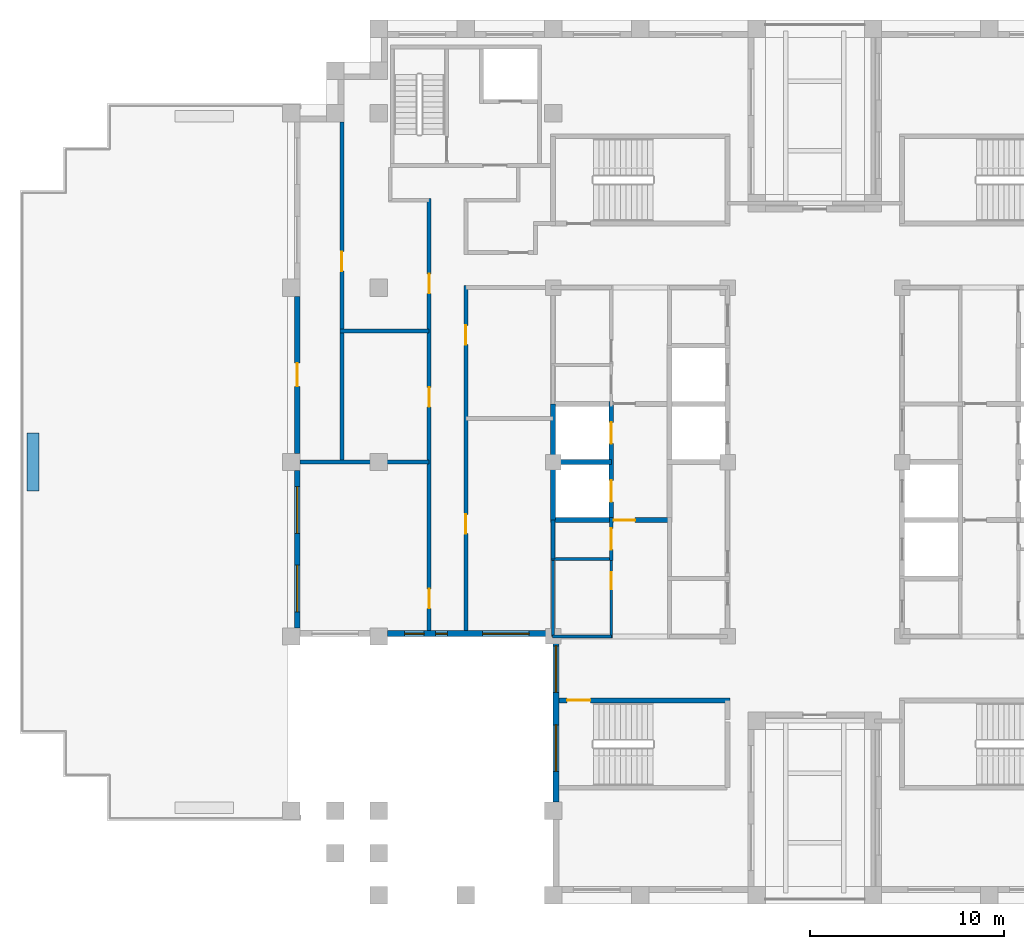
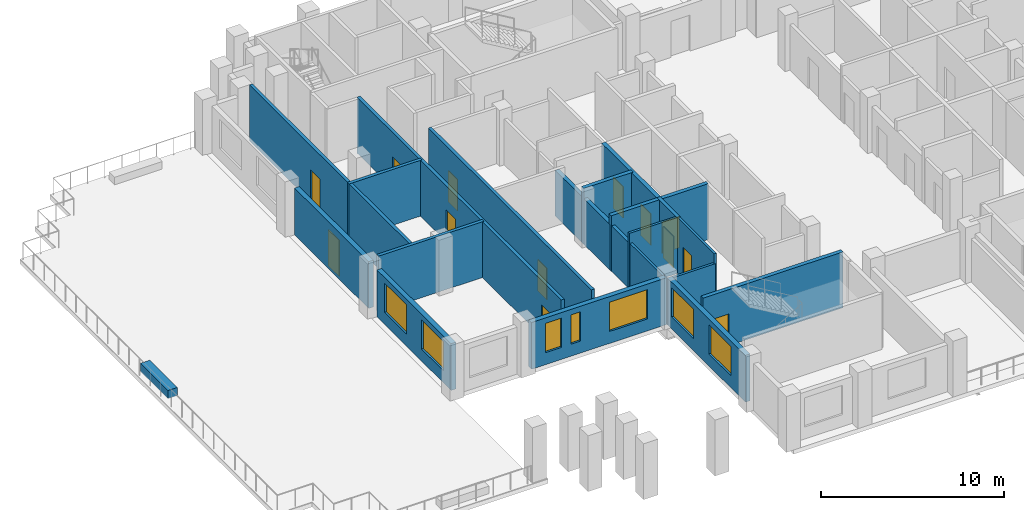
# One storey, part 2 of 10: 21 walls, 13 doors, 7 windows, 20 openings.
"""IFC4 building model written with IfcOpenShell, lengths in metres."""

from ifc_helpers import new_model, si_unit, direction, frame, frame_2d, origin, place, context, subcontext, project, spatial, rectangle, extrude, material, layer, layer_set, type_object, element, fill, save


model = new_model("IFC4")

# Units and contexts
model_context = context("Model", 3, precision=1e-05, world=origin(), true_north=direction((0.0, 1.0)))
body_context = subcontext(model_context, "Body", "Model", "MODEL_VIEW")
ifc_project = project(units=[si_unit("LENGTHUNIT", "METRE"), si_unit("AREAUNIT", "SQUARE_METRE"), si_unit("VOLUMEUNIT", "CUBIC_METRE"), si_unit("PLANEANGLEUNIT", "RADIAN"), si_unit("MASSUNIT", "GRAM", prefix="KILO")], contexts=[model_context])

# Site, building, storey
site_placement = place(None, origin())
site = spatial("IfcSite", under=ifc_project, at=site_placement, CompositionType="ELEMENT")
building_placement = place(site_placement, origin())
building = spatial("IfcBuilding", under=site, at=building_placement, Name="Corbelhall Arena Tower", CompositionType="ELEMENT")
storey_placement = place(building_placement, frame((0.0, 0.0, 242.0)))
storey = spatial("IfcBuildingStorey", under=building, at=storey_placement, Name="L51", CompositionType="ELEMENT", Elevation=242.0)

# Wall, opening, door
ifc_material_1 = material(Name="Precast concrete C40/50 with granite facing", Category="masonry")
ifc_layer_1 = layer(ifc_material_1, 0.300048828125)
ifc_layer_set_1 = layer_set([ifc_layer_1], Name="EV-IW1 Infill panel 300")
wall_type_1 = type_object("IfcWallType", Name="EV-IW1 Infill panel 300", PredefinedType="SOLIDWALL", material=ifc_layer_set_1)
wall_1_placement = place(storey_placement, frame((-26.699951171875, 0.449951171875, 0.0), z_axis=(0.0, 0.0, 1.0), x_axis=(0.0, 1.0, 0.0)))
wall_1 = element("IfcWall", 1, at=wall_1_placement, inside=storey, type_object=wall_type_1, Name="Infill panel IW1", PredefinedType="SOLIDWALL", context=body_context, shape_type="SweptSolid", body=[
    extrude(rectangle(XDim=8.10009765625, YDim=0.300048828125, at=frame_2d((4.050048828125, 0.0))), origin(), (0.0, 0.0, 1.0), 3.1201171875),
])
opening_1_placement = place(wall_1_placement, frame((3.449951171875, 0.0, 0.0)))
opening_1 = element("IfcOpeningElement", 2, at=opening_1_placement, cuts=wall_1, Name="Opening ED2", PredefinedType="OPENING", context=body_context, shape_type="SweptSolid", body=[
    extrude(rectangle(XDim=1.199951171875, YDim=2.39990234375, at=frame_2d((0.60009765625, 1.199951171875))), frame((0.0, 0.14990234375, 0.0), z_axis=(0.0, -1.0, 0.0), x_axis=(1.0, 0.0, 0.0)), (0.0, 0.0, 1.0), 0.300048828125),
])
ifc_material_2 = material(Name="Aluminium black anodised", Category="aluminium")
door_type_1 = type_object("IfcDoorType", Name="EV-ED2 Roof terrace door", OperationType="SINGLE_SWING_LEFT", PredefinedType="DOOR", material=ifc_material_2)
door_1_placement = place(opening_1_placement, origin())
door_1 = element("IfcDoor", 3, at=door_1_placement, inside=storey, type_object=door_type_1, Name="Terrace door", OperationType="SINGLE_SWING_LEFT", OverallHeight=2.39990234375, OverallWidth=1.199951171875, PredefinedType="DOOR", context=body_context, shape_type="SweptSolid", body=[
    extrude(rectangle(XDim=1.199951171875, YDim=2.39990234375, at=frame_2d((0.60009765625, 1.199951171875))), frame((0.0, 0.02490234375, 0.0), z_axis=(0.0, -1.0, 0.0), x_axis=(1.0, 0.0, 0.0)), (0.0, 0.0, 1.0), 0.050048828125),
])
fill(opening_1, door_1)

# Wall, openings, windows
wall_2_placement = place(storey_placement, frame((-26.699951171875, -0.449951171875, 0.0), z_axis=(0.0, 0.0, 1.0), x_axis=(0.0, -1.0, 0.0)))
wall_2 = element("IfcWall", 4, at=wall_2_placement, inside=storey, type_object=wall_type_1, Name="Infill panel IW1", PredefinedType="SOLIDWALL", context=body_context, shape_type="SweptSolid", body=[
    extrude(rectangle(XDim=8.10009765625, YDim=0.300048828125, at=frame_2d((4.050048828125, 0.0))), origin(), (0.0, 0.0, 1.0), 3.1201171875),
])
opening_2_placement = place(wall_2_placement, frame((0.824951171875, 0.0, 0.800048828125)))
opening_2 = element("IfcOpeningElement", 5, at=opening_2_placement, cuts=wall_2, Name="Opening WN1", PredefinedType="OPENING", context=body_context, shape_type="SweptSolid", body=[
    extrude(rectangle(XDim=2.39990234375, YDim=1.949951171875, at=frame_2d((1.199951171875, 0.97509765625))), frame((0.0, 0.14990234375, 0.0), z_axis=(0.0, -1.0, 0.0), x_axis=(1.0, 0.0, 0.0)), (0.0, 0.0, 1.0), 0.300048828125),
])
opening_3_placement = place(wall_2_placement, frame((4.875, 0.0, 0.800048828125)))
opening_3 = element("IfcOpeningElement", 6, at=opening_3_placement, cuts=wall_2, Name="Opening WN1", PredefinedType="OPENING", context=body_context, shape_type="SweptSolid", body=[
    extrude(rectangle(XDim=2.39990234375, YDim=1.949951171875, at=frame_2d((1.199951171875, 0.97509765625))), frame((0.0, 0.14990234375, 0.0), z_axis=(0.0, -1.0, 0.0), x_axis=(1.0, 0.0, 0.0)), (0.0, 0.0, 1.0), 0.300048828125),
])
window_type_1 = type_object("IfcWindowType", Name="EV-WN1 Office window", PartitioningType="SINGLE_PANEL", PredefinedType="WINDOW", material=ifc_material_2)
window_1_placement = place(opening_2_placement, origin())
window_1 = element("IfcWindow", 7, at=window_1_placement, inside=storey, type_object=window_type_1, Name="Window WN1", OverallHeight=1.949951171875, OverallWidth=2.39990234375, PartitioningType="SINGLE_PANEL", PredefinedType="WINDOW", context=body_context, shape_type="SweptSolid", body=[
    extrude(rectangle(XDim=2.39990234375, YDim=1.949951171875, at=frame_2d((1.199951171875, 0.97509765625))), frame((0.0, 0.030029296875, 0.0), z_axis=(0.0, -1.0, 0.0), x_axis=(1.0, 0.0, 0.0)), (0.0, 0.0, 1.0), 0.06005859375),
])
fill(opening_2, window_1)
window_2_placement = place(opening_3_placement, origin())
window_2 = element("IfcWindow", 8, at=window_2_placement, inside=storey, type_object=window_type_1, Name="Window WN1", OverallHeight=1.949951171875, OverallWidth=2.39990234375, PartitioningType="SINGLE_PANEL", PredefinedType="WINDOW", context=body_context, shape_type="SweptSolid", body=[
    extrude(rectangle(XDim=2.39990234375, YDim=1.949951171875, at=frame_2d((1.199951171875, 0.97509765625))), frame((0.0, 0.030029296875, 0.0), z_axis=(0.0, -1.0, 0.0), x_axis=(1.0, 0.0, 0.0)), (0.0, 0.0, 1.0), 0.06005859375),
])
fill(opening_3, window_2)

wall_3_placement = place(storey_placement, frame((-13.35009765625, -9.02490234375, 0.0), z_axis=(0.0, 0.0, 1.0), x_axis=(0.0, -1.0, 0.0)))
wall_3 = element("IfcWall", 9, at=wall_3_placement, inside=storey, type_object=wall_type_1, Name="Infill panel IW1", PredefinedType="SOLIDWALL", context=body_context, shape_type="SweptSolid", body=[
    extrude(rectangle(XDim=8.525146484375, YDim=0.300048828125, at=frame_2d((4.2626953125, 0.0))), origin(), (0.0, 0.0, 1.0), 3.1201171875),
])
opening_4_placement = place(wall_3_placement, frame((0.46240234375, 0.0, 0.800048828125)))
opening_4 = element("IfcOpeningElement", 10, at=opening_4_placement, cuts=wall_3, Name="Opening WN1", PredefinedType="OPENING", context=body_context, shape_type="SweptSolid", body=[
    extrude(rectangle(XDim=2.39990234375, YDim=1.949951171875, at=frame_2d((1.199951171875, 0.97509765625))), frame((0.0, 0.14990234375, 0.0), z_axis=(0.0, -1.0, 0.0), x_axis=(1.0, 0.0, 0.0)), (0.0, 0.0, 1.0), 0.300048828125),
])
opening_5_placement = place(wall_3_placement, frame((4.53759765625, 0.0, 0.800048828125)))
opening_5 = element("IfcOpeningElement", 11, at=opening_5_placement, cuts=wall_3, Name="Opening WN1", PredefinedType="OPENING", context=body_context, shape_type="SweptSolid", body=[
    extrude(rectangle(XDim=2.39990234375, YDim=1.949951171875, at=frame_2d((1.199951171875, 0.97509765625))), frame((0.0, 0.14990234375, 0.0), z_axis=(0.0, -1.0, 0.0), x_axis=(1.0, 0.0, 0.0)), (0.0, 0.0, 1.0), 0.300048828125),
])
window_3_placement = place(opening_4_placement, origin())
window_3 = element("IfcWindow", 12, at=window_3_placement, inside=storey, type_object=window_type_1, Name="Window WN1", OverallHeight=1.949951171875, OverallWidth=2.39990234375, PartitioningType="SINGLE_PANEL", PredefinedType="WINDOW", context=body_context, shape_type="SweptSolid", body=[
    extrude(rectangle(XDim=2.39990234375, YDim=1.949951171875, at=frame_2d((1.199951171875, 0.97509765625))), frame((0.0, 0.030029296875, 0.0), z_axis=(0.0, -1.0, 0.0), x_axis=(1.0, 0.0, 0.0)), (0.0, 0.0, 1.0), 0.06005859375),
])
fill(opening_4, window_3)
window_4_placement = place(opening_5_placement, origin())
window_4 = element("IfcWindow", 13, at=window_4_placement, inside=storey, type_object=window_type_1, Name="Window WN1", OverallHeight=1.949951171875, OverallWidth=2.39990234375, PartitioningType="SINGLE_PANEL", PredefinedType="WINDOW", context=body_context, shape_type="SweptSolid", body=[
    extrude(rectangle(XDim=2.39990234375, YDim=1.949951171875, at=frame_2d((1.199951171875, 0.97509765625))), frame((0.0, 0.030029296875, 0.0), z_axis=(0.0, -1.0, 0.0), x_axis=(1.0, 0.0, 0.0)), (0.0, 0.0, 1.0), 0.06005859375),
])
fill(opening_5, window_4)

wall_4_placement = place(storey_placement, frame((-22.050048828125, -8.85009765625, 0.0), z_axis=(0.0, 0.0, 1.0), x_axis=(1.0, 0.0, 0.0)))
wall_4 = element("IfcWall", 14, at=wall_4_placement, inside=storey, type_object=wall_type_1, Name="Infill panel IW1", PredefinedType="SOLIDWALL", context=body_context, shape_type="SweptSolid", body=[
    extrude(rectangle(XDim=8.525146484375, YDim=0.300048828125, at=frame_2d((4.2626953125, 0.0))), origin(), (0.0, 0.0, 1.0), 3.1201171875),
])
opening_6_placement = place(wall_4_placement, frame((4.91259765625, 0.0, 0.800048828125)))
opening_6 = element("IfcOpeningElement", 15, at=opening_6_placement, cuts=wall_4, Name="Opening WN1", PredefinedType="OPENING", context=body_context, shape_type="SweptSolid", body=[
    extrude(rectangle(XDim=2.39990234375, YDim=1.949951171875, at=frame_2d((1.199951171875, 0.97509765625))), frame((0.0, 0.14990234375, 0.0), z_axis=(0.0, -1.0, 0.0), x_axis=(1.0, 0.0, 0.0)), (0.0, 0.0, 1.0), 0.300048828125),
])
opening_7_placement = place(wall_4_placement, frame((0.893798828125, 0.0, 0.800048828125)))
opening_7 = element("IfcOpeningElement", 16, at=opening_7_placement, cuts=wall_4, Name="Opening WN6", PredefinedType="OPENING", context=body_context, shape_type="SweptSolid", body=[
    extrude(rectangle(XDim=1.0, YDim=1.949951171875, at=frame_2d((0.5, 0.97509765625))), frame((0.0, 0.14990234375, 0.0), z_axis=(0.0, -1.0, 0.0), x_axis=(1.0, 0.0, 0.0)), (0.0, 0.0, 1.0), 0.300048828125),
])
opening_8_placement = place(wall_4_placement, frame((2.493896484375, 0.0, 0.800048828125)))
opening_8 = element("IfcOpeningElement", 17, at=opening_8_placement, cuts=wall_4, Name="Opening WN5", PredefinedType="OPENING", context=body_context, shape_type="SweptSolid", body=[
    extrude(rectangle(XDim=0.60009765625, YDim=1.949951171875, at=frame_2d((0.300048828125, 0.97509765625))), frame((0.0, 0.14990234375, 0.0), z_axis=(0.0, -1.0, 0.0), x_axis=(1.0, 0.0, 0.0)), (0.0, 0.0, 1.0), 0.300048828125),
])
window_5_placement = place(opening_6_placement, origin())
window_5 = element("IfcWindow", 18, at=window_5_placement, inside=storey, type_object=window_type_1, Name="Window WN1", OverallHeight=1.949951171875, OverallWidth=2.39990234375, PartitioningType="SINGLE_PANEL", PredefinedType="WINDOW", context=body_context, shape_type="SweptSolid", body=[
    extrude(rectangle(XDim=2.39990234375, YDim=1.949951171875, at=frame_2d((1.199951171875, 0.97509765625))), frame((0.0, 0.030029296875, 0.0), z_axis=(0.0, -1.0, 0.0), x_axis=(1.0, 0.0, 0.0)), (0.0, 0.0, 1.0), 0.06005859375),
])
fill(opening_6, window_5)
window_type_2 = type_object("IfcWindowType", Name="EV-WN5 Office window 600", PartitioningType="SINGLE_PANEL", PredefinedType="WINDOW", material=ifc_material_2)
window_6_placement = place(opening_8_placement, origin())
window_6 = element("IfcWindow", 19, at=window_6_placement, inside=storey, type_object=window_type_2, Name="Window WN5", OverallHeight=1.949951171875, OverallWidth=0.60009765625, PartitioningType="SINGLE_PANEL", PredefinedType="WINDOW", context=body_context, shape_type="SweptSolid", body=[
    extrude(rectangle(XDim=0.60009765625, YDim=1.949951171875, at=frame_2d((0.300048828125, 0.97509765625))), frame((0.0, 0.030029296875, 0.0), z_axis=(0.0, -1.0, 0.0), x_axis=(1.0, 0.0, 0.0)), (0.0, 0.0, 1.0), 0.06005859375),
])
fill(opening_8, window_6)
window_type_3 = type_object("IfcWindowType", Name="EV-WN6 Office window 1000", PartitioningType="SINGLE_PANEL", PredefinedType="WINDOW", material=ifc_material_2)
window_7_placement = place(opening_7_placement, origin())
window_7 = element("IfcWindow", 20, at=window_7_placement, inside=storey, type_object=window_type_3, Name="Window WN6", OverallHeight=1.949951171875, OverallWidth=1.0, PartitioningType="SINGLE_PANEL", PredefinedType="WINDOW", context=body_context, shape_type="SweptSolid", body=[
    extrude(rectangle(XDim=1.0, YDim=1.949951171875, at=frame_2d((0.5, 0.97509765625))), frame((0.0, 0.030029296875, 0.0), z_axis=(0.0, -1.0, 0.0), x_axis=(1.0, 0.0, 0.0)), (0.0, 0.0, 1.0), 0.06005859375),
])
fill(opening_7, window_7)

# Walls
ifc_layer_2 = layer(ifc_material_1, 0.60009765625)
ifc_layer_set_2 = layer_set([ifc_layer_2], Name="EV-PL1 Planter box")
wall_type_2 = type_object("IfcWallType", Name="EV-PL1 Planter box", PredefinedType="SOLIDWALL", material=ifc_layer_set_2)
wall_5_placement = place(storey_placement, frame((-40.330078125, -1.5, 0.0), z_axis=(0.0, 0.0, 1.0), x_axis=(0.0, 1.0, 0.0)))
element("IfcWall", 21, at=wall_5_placement, inside=storey, type_object=wall_type_2, Name="PLANTER", PredefinedType="SOLIDWALL", context=body_context, shape_type="SweptSolid", body=[
    extrude(rectangle(XDim=3.0, YDim=0.60009765625, at=frame_2d((1.5, 0.0))), origin(), (0.0, 0.0, 1.0), 0.5400390625),
])
ifc_material_3 = material(Name="Gypsum board on steel stud, acoustic", Category="steel")
ifc_layer_3 = layer(ifc_material_3, 0.199951171875)
ifc_layer_set_3 = layer_set([ifc_layer_3], Name="IN-W-DM200")
wall_type_3 = type_object("IfcWallType", Name="IN-W-DM200", PredefinedType="PARTITIONING", material=ifc_layer_set_3)
wall_6_placement = place(storey_placement, frame((-24.5, 6.75, 0.0), z_axis=(0.0, 0.0, 1.0), x_axis=(1.0, 0.0, 0.0)))
element("IfcWall", 22, at=wall_6_placement, inside=storey, type_object=wall_type_3, Name="Partition 001", PredefinedType="PARTITIONING", context=body_context, shape_type="SweptSolid", body=[
    extrude(rectangle(XDim=4.60009765625, YDim=0.199951171875, at=frame_2d((2.300048828125, 0.0))), origin(), (0.0, 0.0, 1.0), 3.719970703125),
])

# Wall, opening, door
wall_7_placement = place(storey_placement, frame((-24.39990234375, -0.10009765625, 0.0), z_axis=(0.0, 0.0, 1.0), x_axis=(0.0, 1.0, 0.0)))
wall_7 = element("IfcWall", 23, at=wall_7_placement, inside=storey, type_object=wall_type_3, Name="Partition 002", PredefinedType="PARTITIONING", context=body_context, shape_type="SweptSolid", body=[
    extrude(rectangle(XDim=17.650146484375, YDim=0.199951171875, at=frame_2d((8.8251953125, 0.0))), origin(), (0.0, 0.0, 1.0), 3.719970703125),
])
opening_9_placement = place(wall_7_placement, frame((9.949951171875, 0.0, 0.0)))
opening_9 = element("IfcOpeningElement", 24, at=opening_9_placement, cuts=wall_7, Name="Opening 16030", PredefinedType="OPENING", context=body_context, shape_type="SweptSolid", body=[
    extrude(rectangle(XDim=1.0, YDim=2.10009765625, at=frame_2d((0.5, 1.050048828125))), frame((0.0, 0.10009765625, 0.0), z_axis=(0.0, -1.0, 0.0), x_axis=(1.0, 0.0, 0.0)), (0.0, 0.0, 1.0), 0.199951171875),
])
ifc_material_4 = material(Name="Steel door set", Category="steel")
door_type_2 = type_object("IfcDoorType", Name="IN-D-SW100", OperationType="NOTDEFINED", PredefinedType="DOOR", material=ifc_material_4)
door_2_placement = place(opening_9_placement, origin())
door_2 = element("IfcDoor", 25, at=door_2_placement, inside=storey, type_object=door_type_2, Name="Door 030", OperationType="SINGLE_SWING_LEFT", OverallHeight=2.10009765625, OverallWidth=1.0, PredefinedType="DOOR", context=body_context, shape_type="SweptSolid", body=[
    extrude(rectangle(XDim=1.0, YDim=2.10009765625, at=frame_2d((0.5, 1.050048828125))), frame((0.0, 0.02490234375, 0.0), z_axis=(0.0, -1.0, 0.0), x_axis=(1.0, 0.0, 0.0)), (0.0, 0.0, 1.0), 0.050048828125),
])
fill(opening_9, door_2)

# Wall
wall_8_placement = place(storey_placement, frame((-19.89990234375, 0.0, 0.0), z_axis=(0.0, 0.0, 1.0), x_axis=(-1.0, 0.0, 0.0)))
element("IfcWall", 26, at=wall_8_placement, inside=storey, type_object=wall_type_3, Name="Partition 003", PredefinedType="PARTITIONING", context=body_context, shape_type="SweptSolid", body=[
    extrude(rectangle(XDim=6.650146484375, YDim=0.199951171875, at=frame_2d((3.3251953125, 0.0))), origin(), (0.0, 0.0, 1.0), 3.719970703125),
])

# Wall, openings, doors
wall_9_placement = place(storey_placement, frame((-19.89990234375, -8.699951171875, 0.0), z_axis=(0.0, 0.0, 1.0), x_axis=(0.0, 1.0, 0.0)))
wall_9 = element("IfcWall", 27, at=wall_9_placement, inside=storey, type_object=wall_type_3, Name="Partition 005", PredefinedType="PARTITIONING", context=body_context, shape_type="SweptSolid", body=[
    extrude(rectangle(XDim=22.300048828125, YDim=0.199951171875, at=frame_2d((11.14990234375, 0.0))), origin(), (0.0, 0.0, 1.0), 3.719970703125),
])
opening_10_placement = place(wall_9_placement, frame((11.550048828125, 0.0, 0.0)))
opening_10 = element("IfcOpeningElement", 28, at=opening_10_placement, cuts=wall_9, Name="Opening 16028", PredefinedType="OPENING", context=body_context, shape_type="SweptSolid", body=[
    extrude(rectangle(XDim=1.0, YDim=2.10009765625, at=frame_2d((0.5, 1.050048828125))), frame((0.0, 0.10009765625, 0.0), z_axis=(0.0, -1.0, 0.0), x_axis=(1.0, 0.0, 0.0)), (0.0, 0.0, 1.0), 0.199951171875),
])
opening_11_placement = place(wall_9_placement, frame((17.39990234375, 0.0, 0.0)))
opening_11 = element("IfcOpeningElement", 29, at=opening_11_placement, cuts=wall_9, Name="Opening 16029", PredefinedType="OPENING", context=body_context, shape_type="SweptSolid", body=[
    extrude(rectangle(XDim=1.0, YDim=2.10009765625, at=frame_2d((0.5, 1.050048828125))), frame((0.0, 0.10009765625, 0.0), z_axis=(0.0, -1.0, 0.0), x_axis=(1.0, 0.0, 0.0)), (0.0, 0.0, 1.0), 0.199951171875),
])
opening_12_placement = place(wall_9_placement, frame((1.14990234375, 0.0, 0.0)))
opening_12 = element("IfcOpeningElement", 30, at=opening_12_placement, cuts=wall_9, Name="Opening 16031", PredefinedType="OPENING", context=body_context, shape_type="SweptSolid", body=[
    extrude(rectangle(XDim=1.0, YDim=2.10009765625, at=frame_2d((0.5, 1.050048828125))), frame((0.0, 0.10009765625, 0.0), z_axis=(0.0, -1.0, 0.0), x_axis=(1.0, 0.0, 0.0)), (0.0, 0.0, 1.0), 0.199951171875),
])
door_3_placement = place(opening_10_placement, origin())
door_3 = element("IfcDoor", 31, at=door_3_placement, inside=storey, type_object=door_type_2, Name="Door 028", OperationType="SINGLE_SWING_LEFT", OverallHeight=2.10009765625, OverallWidth=1.0, PredefinedType="DOOR", context=body_context, shape_type="SweptSolid", body=[
    extrude(rectangle(XDim=1.0, YDim=2.10009765625, at=frame_2d((0.5, 1.050048828125))), frame((0.0, 0.02490234375, 0.0), z_axis=(0.0, -1.0, 0.0), x_axis=(1.0, 0.0, 0.0)), (0.0, 0.0, 1.0), 0.050048828125),
])
fill(opening_10, door_3)
door_4_placement = place(opening_11_placement, origin())
door_4 = element("IfcDoor", 32, at=door_4_placement, inside=storey, type_object=door_type_2, Name="Door 029", OperationType="SINGLE_SWING_RIGHT", OverallHeight=2.10009765625, OverallWidth=1.0, PredefinedType="DOOR", context=body_context, shape_type="SweptSolid", body=[
    extrude(rectangle(XDim=1.0, YDim=2.10009765625, at=frame_2d((0.5, 1.050048828125))), frame((0.0, 0.02490234375, 0.0), z_axis=(0.0, -1.0, 0.0), x_axis=(1.0, 0.0, 0.0)), (0.0, 0.0, 1.0), 0.050048828125),
])
fill(opening_11, door_4)
door_5_placement = place(opening_12_placement, origin())
door_5 = element("IfcDoor", 33, at=door_5_placement, inside=storey, type_object=door_type_2, Name="Door 031", OperationType="SINGLE_SWING_RIGHT", OverallHeight=2.10009765625, OverallWidth=1.0, PredefinedType="DOOR", context=body_context, shape_type="SweptSolid", body=[
    extrude(rectangle(XDim=1.0, YDim=2.10009765625, at=frame_2d((0.5, 1.050048828125))), frame((0.0, 0.02490234375, 0.0), z_axis=(0.0, -1.0, 0.0), x_axis=(1.0, 0.0, 0.0)), (0.0, 0.0, 1.0), 0.050048828125),
])
fill(opening_12, door_5)

wall_10_placement = place(storey_placement, frame((-18.0, 9.10009765625, 0.0), z_axis=(0.0, 0.0, 1.0), x_axis=(0.0, -1.0, 0.0)))
wall_10 = element("IfcWall", 34, at=wall_10_placement, inside=storey, type_object=wall_type_3, Name="Partition 008", PredefinedType="PARTITIONING", context=body_context, shape_type="SweptSolid", body=[
    extrude(rectangle(XDim=17.800048828125, YDim=0.199951171875, at=frame_2d((8.89990234375, 0.0))), origin(), (0.0, 0.0, 1.0), 3.719970703125),
])
opening_13_placement = place(wall_10_placement, frame((11.800048828125, 0.0, 0.0)))
opening_13 = element("IfcOpeningElement", 35, at=opening_13_placement, cuts=wall_10, Name="Opening 16021", PredefinedType="OPENING", context=body_context, shape_type="SweptSolid", body=[
    extrude(rectangle(XDim=1.0, YDim=2.10009765625, at=frame_2d((0.5, 1.050048828125))), frame((0.0, 0.10009765625, 0.0), z_axis=(0.0, -1.0, 0.0), x_axis=(1.0, 0.0, 0.0)), (0.0, 0.0, 1.0), 0.199951171875),
])
opening_14_placement = place(wall_10_placement, frame((2.050048828125, 0.0, 0.0)))
opening_14 = element("IfcOpeningElement", 36, at=opening_14_placement, cuts=wall_10, Name="Opening 16022", PredefinedType="OPENING", context=body_context, shape_type="SweptSolid", body=[
    extrude(rectangle(XDim=1.0, YDim=2.10009765625, at=frame_2d((0.5, 1.050048828125))), frame((0.0, 0.10009765625, 0.0), z_axis=(0.0, -1.0, 0.0), x_axis=(1.0, 0.0, 0.0)), (0.0, 0.0, 1.0), 0.199951171875),
])
door_6_placement = place(opening_13_placement, origin())
door_6 = element("IfcDoor", 37, at=door_6_placement, inside=storey, type_object=door_type_2, Name="Door 021", OperationType="SINGLE_SWING_RIGHT", OverallHeight=2.10009765625, OverallWidth=1.0, PredefinedType="DOOR", context=body_context, shape_type="SweptSolid", body=[
    extrude(rectangle(XDim=1.0, YDim=2.10009765625, at=frame_2d((0.5, 1.050048828125))), frame((0.0, 0.02490234375, 0.0), z_axis=(0.0, -1.0, 0.0), x_axis=(1.0, 0.0, 0.0)), (0.0, 0.0, 1.0), 0.050048828125),
])
fill(opening_13, door_6)
door_7_placement = place(opening_14_placement, origin())
door_7 = element("IfcDoor", 38, at=door_7_placement, inside=storey, type_object=door_type_2, Name="Door 022", OperationType="SINGLE_SWING_LEFT", OverallHeight=2.10009765625, OverallWidth=1.0, PredefinedType="DOOR", context=body_context, shape_type="SweptSolid", body=[
    extrude(rectangle(XDim=1.0, YDim=2.10009765625, at=frame_2d((0.5, 1.050048828125))), frame((0.0, 0.02490234375, 0.0), z_axis=(0.0, -1.0, 0.0), x_axis=(1.0, 0.0, 0.0)), (0.0, 0.0, 1.0), 0.050048828125),
])
fill(opening_14, door_7)

# Wall, opening, door
ifc_material_5 = material(Name="Concrete block wall", Category="concrete")
ifc_layer_4 = layer(ifc_material_5, 0.199951171875)
ifc_layer_set_4 = layer_set([ifc_layer_4], Name="IN-W-RS200")
wall_type_4 = type_object("IfcWallType", Name="IN-W-RS200", PredefinedType="SOLIDWALL", material=ifc_layer_set_4)
wall_11_placement = place(storey_placement, frame((-10.5, -5.074951171875, 0.0), z_axis=(0.0, 0.0, 1.0), x_axis=(0.0, 1.0, 0.0)))
wall_11 = element("IfcWall", 39, at=wall_11_placement, inside=storey, type_object=wall_type_4, Name="Partition 042", PredefinedType="SOLIDWALL", context=body_context, shape_type="SweptSolid", body=[
    extrude(rectangle(XDim=2.199951171875, YDim=0.199951171875, at=frame_2d((1.10009765625, 0.0))), origin(), (0.0, 0.0, 1.0), 3.719970703125),
])
opening_15_placement = place(wall_11_placement, frame((0.550048828125, 0.0, 0.0)))
opening_15 = element("IfcOpeningElement", 40, at=opening_15_placement, cuts=wall_11, Name="Opening 16007", PredefinedType="OPENING", context=body_context, shape_type="SweptSolid", body=[
    extrude(rectangle(XDim=1.10009765625, YDim=2.10009765625, at=frame_2d((0.550048828125, 1.050048828125))), frame((0.0, 0.10009765625, 0.0), z_axis=(0.0, -1.0, 0.0), x_axis=(1.0, 0.0, 0.0)), (0.0, 0.0, 1.0), 0.199951171875),
])
door_type_3 = type_object("IfcDoorType", Name="IN-D-FD110", OperationType="NOTDEFINED", PredefinedType="DOOR", material=ifc_material_4)
door_8_placement = place(opening_15_placement, origin())
door_8 = element("IfcDoor", 41, at=door_8_placement, inside=storey, type_object=door_type_3, Name="Door 007", OperationType="SINGLE_SWING_RIGHT", OverallHeight=2.10009765625, OverallWidth=1.10009765625, PredefinedType="DOOR", context=body_context, shape_type="SweptSolid", body=[
    extrude(rectangle(XDim=1.10009765625, YDim=2.10009765625, at=frame_2d((0.550048828125, 1.050048828125))), frame((0.0, 0.02490234375, 0.0), z_axis=(0.0, -1.0, 0.0), x_axis=(1.0, 0.0, 0.0)), (0.0, 0.0, 1.0), 0.050048828125),
])
fill(opening_15, door_8)

# Walls
ifc_layer_5 = layer(ifc_material_5, 0.199951171875)
ifc_layer_set_5 = layer_set([ifc_layer_5], Name="IN-W-RS200 under beam 678 mm")
wall_type_5 = type_object("IfcWallType", Name="IN-W-RS200 under beam 678 mm", PredefinedType="SOLIDWALL", material=ifc_layer_set_5)
wall_12_placement = place(storey_placement, frame((-13.5, -5.0, 0.0), z_axis=(0.0, 0.0, 1.0), x_axis=(0.0, 1.0, 0.0)))
element("IfcWall", 42, at=wall_12_placement, inside=storey, type_object=wall_type_5, Name="Partition 040", PredefinedType="SOLIDWALL", context=body_context, shape_type="SweptSolid", body=[
    extrude(rectangle(XDim=2.0, YDim=0.199951171875, at=frame_2d((1.0, 0.0))), origin(), (0.0, 0.0, 1.0), 3.041748046875),
])
ifc_material_6 = material(Name="Concrete C40/50", Category="concrete")
ifc_layer_6 = layer(ifc_material_6, 0.25)
ifc_layer_set_6 = layer_set([ifc_layer_6], Name="IN-W-SH250")
wall_type_6 = type_object("IfcWallType", Name="IN-W-SH250", PredefinedType="SOLIDWALL", material=ifc_layer_set_6)
wall_13_placement = place(storey_placement, frame((-13.625, 0.0, 0.0), z_axis=(0.0, 0.0, 1.0), x_axis=(1.0, 0.0, 0.0)))
element("IfcWall", 43, at=wall_13_placement, inside=storey, type_object=wall_type_6, Name="Shaft wall 063", PredefinedType="SOLIDWALL", context=body_context, shape_type="SweptSolid", body=[
    extrude(rectangle(XDim=3.125, YDim=0.25, at=frame_2d((1.5625, 0.0))), origin(), (0.0, 0.0, 1.0), 3.719970703125),
])

# Wall, opening, door
wall_14_placement = place(storey_placement, frame((-13.625, -3.0, 0.0), z_axis=(0.0, 0.0, 1.0), x_axis=(1.0, 0.0, 0.0)))
wall_14 = element("IfcWall", 44, at=wall_14_placement, inside=storey, type_object=wall_type_6, Name="Shaft wall 066", PredefinedType="SOLIDWALL", context=body_context, shape_type="SweptSolid", body=[
    extrude(rectangle(XDim=6.125, YDim=0.25, at=frame_2d((3.0625, 0.0))), origin(), (0.0, 0.0, 1.0), 3.719970703125),
])
opening_16_placement = place(wall_14_placement, frame((3.25, 0.0, 0.0)))
opening_16 = element("IfcOpeningElement", 45, at=opening_16_placement, cuts=wall_14, Name="Opening 16004", PredefinedType="OPENING", context=body_context, shape_type="SweptSolid", body=[
    extrude(rectangle(XDim=1.10009765625, YDim=2.10009765625, at=frame_2d((0.550048828125, 1.050048828125))), frame((0.0, 0.125, 0.0), z_axis=(0.0, -1.0, 0.0), x_axis=(1.0, 0.0, 0.0)), (0.0, 0.0, 1.0), 0.25),
])
door_9_placement = place(opening_16_placement, origin())
door_9 = element("IfcDoor", 46, at=door_9_placement, inside=storey, type_object=door_type_3, Name="Door 004", OperationType="SINGLE_SWING_LEFT", OverallHeight=2.10009765625, OverallWidth=1.10009765625, PredefinedType="DOOR", context=body_context, shape_type="SweptSolid", body=[
    extrude(rectangle(XDim=1.10009765625, YDim=2.10009765625, at=frame_2d((0.550048828125, 1.050048828125))), frame((0.0, 0.02490234375, 0.0), z_axis=(0.0, -1.0, 0.0), x_axis=(1.0, 0.0, 0.0)), (0.0, 0.0, 1.0), 0.050048828125),
])
fill(opening_16, door_9)

# Wall, openings, doors
wall_15_placement = place(storey_placement, frame((-10.5, -3.125, 0.0), z_axis=(0.0, 0.0, 1.0), x_axis=(0.0, 1.0, 0.0)))
wall_15 = element("IfcWall", 47, at=wall_15_placement, inside=storey, type_object=wall_type_6, Name="Shaft wall 067", PredefinedType="SOLIDWALL", context=body_context, shape_type="SweptSolid", body=[
    extrude(rectangle(XDim=6.25, YDim=0.25, at=frame_2d((3.125, 0.0))), origin(), (0.0, 0.0, 1.0), 3.719970703125),
])
opening_17_placement = place(wall_15_placement, frame((1.074951171875, 0.0, 0.0)))
opening_17 = element("IfcOpeningElement", 48, at=opening_17_placement, cuts=wall_15, Name="Opening LD", PredefinedType="OPENING", context=body_context, shape_type="SweptSolid", body=[
    extrude(rectangle(XDim=1.10009765625, YDim=2.10009765625, at=frame_2d((0.550048828125, 1.050048828125))), frame((0.0, 0.125, 0.0), z_axis=(0.0, -1.0, 0.0), x_axis=(1.0, 0.0, 0.0)), (0.0, 0.0, 1.0), 0.25),
])
opening_18_placement = place(wall_15_placement, frame((4.074951171875, 0.0, 0.0)))
opening_18 = element("IfcOpeningElement", 49, at=opening_18_placement, cuts=wall_15, Name="Opening LD", PredefinedType="OPENING", context=body_context, shape_type="SweptSolid", body=[
    extrude(rectangle(XDim=1.10009765625, YDim=2.10009765625, at=frame_2d((0.550048828125, 1.050048828125))), frame((0.0, 0.125, 0.0), z_axis=(0.0, -1.0, 0.0), x_axis=(1.0, 0.0, 0.0)), (0.0, 0.0, 1.0), 0.25),
])
door_type_4 = type_object("IfcDoorType", Name="IN-D-LD110", OperationType="NOTDEFINED", PredefinedType="DOOR", material=ifc_material_4)
door_10_placement = place(opening_17_placement, origin())
door_10 = element("IfcDoor", 50, at=door_10_placement, inside=storey, type_object=door_type_4, Name="Landing door W3", OperationType="SLIDING_TO_LEFT", OverallHeight=2.10009765625, OverallWidth=1.10009765625, PredefinedType="DOOR", context=body_context, shape_type="SweptSolid", body=[
    extrude(rectangle(XDim=1.10009765625, YDim=2.10009765625, at=frame_2d((0.550048828125, 1.050048828125))), frame((0.0, 0.02490234375, 0.0), z_axis=(0.0, -1.0, 0.0), x_axis=(1.0, 0.0, 0.0)), (0.0, 0.0, 1.0), 0.050048828125),
])
fill(opening_17, door_10)
door_11_placement = place(opening_18_placement, origin())
door_11 = element("IfcDoor", 51, at=door_11_placement, inside=storey, type_object=door_type_4, Name="Landing door W4", OperationType="SLIDING_TO_LEFT", OverallHeight=2.10009765625, OverallWidth=1.10009765625, PredefinedType="DOOR", context=body_context, shape_type="SweptSolid", body=[
    extrude(rectangle(XDim=1.10009765625, YDim=2.10009765625, at=frame_2d((0.550048828125, 1.050048828125))), frame((0.0, 0.02490234375, 0.0), z_axis=(0.0, -1.0, 0.0), x_axis=(1.0, 0.0, 0.0)), (0.0, 0.0, 1.0), 0.050048828125),
])
fill(opening_18, door_11)

# Wall
ifc_layer_7 = layer(ifc_material_6, 0.25)
ifc_layer_set_7 = layer_set([ifc_layer_7], Name="IN-W-SH250 under beam 678 mm")
wall_type_7 = type_object("IfcWallType", Name="IN-W-SH250 under beam 678 mm", PredefinedType="SOLIDWALL", material=ifc_layer_set_7)
wall_16_placement = place(storey_placement, frame((-13.5, -3.0, 0.0), z_axis=(0.0, 0.0, 1.0), x_axis=(0.0, 1.0, 0.0)))
element("IfcWall", 52, at=wall_16_placement, inside=storey, type_object=wall_type_7, Name="Shaft wall 065", PredefinedType="SOLIDWALL", context=body_context, shape_type="SweptSolid", body=[
    extrude(rectangle(XDim=6.0, YDim=0.25, at=frame_2d((3.0, 0.0))), origin(), (0.0, 0.0, 1.0), 3.041748046875),
])

# Wall, opening, door
ifc_layer_8 = layer(ifc_material_6, 0.25)
ifc_layer_set_8 = layer_set([ifc_layer_8], Name="IN-W-ST250")
wall_type_8 = type_object("IfcWallType", Name="IN-W-ST250", PredefinedType="SOLIDWALL", material=ifc_layer_set_8)
wall_17_placement = place(storey_placement, frame((-4.375, -12.300048828125, 0.0), z_axis=(0.0, 0.0, 1.0), x_axis=(-1.0, 0.0, 0.0)))
wall_17 = element("IfcWall", 53, at=wall_17_placement, inside=storey, type_object=wall_type_8, Name="Shaft wall 089", PredefinedType="SOLIDWALL", context=body_context, shape_type="SweptSolid", body=[
    extrude(rectangle(XDim=8.824951171875, YDim=0.25, at=frame_2d((4.41259765625, 0.0))), origin(), (0.0, 0.0, 1.0), 3.719970703125),
])
opening_19_placement = place(wall_17_placement, frame((7.199951171875, 0.0, 0.0)))
opening_19 = element("IfcOpeningElement", 54, at=opening_19_placement, cuts=wall_17, Name="Opening 16018", PredefinedType="OPENING", context=body_context, shape_type="SweptSolid", body=[
    extrude(rectangle(XDim=1.199951171875, YDim=2.10009765625, at=frame_2d((0.60009765625, 1.050048828125))), frame((0.0, 0.125, 0.0), z_axis=(0.0, -1.0, 0.0), x_axis=(1.0, 0.0, 0.0)), (0.0, 0.0, 1.0), 0.25),
])
door_type_5 = type_object("IfcDoorType", Name="IN-D-ST120", OperationType="NOTDEFINED", PredefinedType="DOOR", material=ifc_material_4)
door_12_placement = place(opening_19_placement, origin())
door_12 = element("IfcDoor", 55, at=door_12_placement, inside=storey, type_object=door_type_5, Name="Door 018", OperationType="SINGLE_SWING_LEFT", OverallHeight=2.10009765625, OverallWidth=1.199951171875, PredefinedType="DOOR", context=body_context, shape_type="SweptSolid", body=[
    extrude(rectangle(XDim=1.199951171875, YDim=2.10009765625, at=frame_2d((0.60009765625, 1.050048828125))), frame((0.0, 0.02490234375, 0.0), z_axis=(0.0, -1.0, 0.0), x_axis=(1.0, 0.0, 0.0)), (0.0, 0.0, 1.0), 0.050048828125),
])
fill(opening_19, door_12)

# Wall
ifc_material_7 = material(Name="Gypsum board on steel stud, moisture resistant", Category="steel")
ifc_layer_9 = layer(ifc_material_7, 0.14990234375)
ifc_layer_set_9 = layer_set([ifc_layer_9], Name="IN-W-WC150")
wall_type_9 = type_object("IfcWallType", Name="IN-W-WC150", PredefinedType="PARTITIONING", material=ifc_layer_set_9)
wall_18_placement = place(storey_placement, frame((-13.60009765625, -5.0, 0.0), z_axis=(0.0, 0.0, 1.0), x_axis=(1.0, 0.0, 0.0)))
element("IfcWall", 56, at=wall_18_placement, inside=storey, type_object=wall_type_9, Name="Partition 098", PredefinedType="PARTITIONING", context=body_context, shape_type="SweptSolid", body=[
    extrude(rectangle(XDim=3.10009765625, YDim=0.14990234375, at=frame_2d((1.550048828125, 0.0))), origin(), (0.0, 0.0, 1.0), 3.719970703125),
])

# Wall, opening, door
wall_19_placement = place(storey_placement, frame((-10.5, -9.074951171875, 0.0), z_axis=(0.0, 0.0, 1.0), x_axis=(0.0, 1.0, 0.0)))
wall_19 = element("IfcWall", 57, at=wall_19_placement, inside=storey, type_object=wall_type_9, Name="Partition 102", PredefinedType="PARTITIONING", context=body_context, shape_type="SweptSolid", body=[
    extrude(rectangle(XDim=4.14990234375, YDim=0.14990234375, at=frame_2d((2.074951171875, 0.0))), origin(), (0.0, 0.0, 1.0), 3.719970703125),
])
opening_20_placement = place(wall_19_placement, frame((2.5, 0.0, 0.0)))
opening_20 = element("IfcOpeningElement", 58, at=opening_20_placement, cuts=wall_19, Name="Opening 16006", PredefinedType="OPENING", context=body_context, shape_type="SweptSolid", body=[
    extrude(rectangle(XDim=0.89990234375, YDim=2.10009765625, at=frame_2d((0.449951171875, 1.050048828125))), frame((0.0, 0.074951171875, 0.0), z_axis=(0.0, -1.0, 0.0), x_axis=(1.0, 0.0, 0.0)), (0.0, 0.0, 1.0), 0.14990234375),
])
ifc_material_8 = material(Name="Timber door set", Category="wood")
door_type_6 = type_object("IfcDoorType", Name="IN-D-SW90", OperationType="NOTDEFINED", PredefinedType="DOOR", material=ifc_material_8)
door_13_placement = place(opening_20_placement, origin())
door_13 = element("IfcDoor", 59, at=door_13_placement, inside=storey, type_object=door_type_6, Name="Door 006", OperationType="SINGLE_SWING_LEFT", OverallHeight=2.10009765625, OverallWidth=0.89990234375, PredefinedType="DOOR", context=body_context, shape_type="SweptSolid", body=[
    extrude(rectangle(XDim=0.89990234375, YDim=2.10009765625, at=frame_2d((0.449951171875, 1.050048828125))), frame((0.0, 0.02490234375, 0.0), z_axis=(0.0, -1.0, 0.0), x_axis=(1.0, 0.0, 0.0)), (0.0, 0.0, 1.0), 0.050048828125),
])
fill(opening_20, door_13)

# Walls
ifc_layer_10 = layer(ifc_material_7, 0.14990234375)
ifc_layer_set_10 = layer_set([ifc_layer_10], Name="IN-W-WC150 under beam 678 mm")
wall_type_10 = type_object("IfcWallType", Name="IN-W-WC150 under beam 678 mm", PredefinedType="PARTITIONING", material=ifc_layer_set_10)
wall_20_placement = place(storey_placement, frame((-13.5, -9.0, 0.0), z_axis=(0.0, 0.0, 1.0), x_axis=(0.0, 1.0, 0.0)))
element("IfcWall", 60, at=wall_20_placement, inside=storey, type_object=wall_type_10, Name="Partition 100", PredefinedType="PARTITIONING", context=body_context, shape_type="SweptSolid", body=[
    extrude(rectangle(XDim=4.0, YDim=0.14990234375, at=frame_2d((2.0, 0.0))), origin(), (0.0, 0.0, 1.0), 3.041748046875),
])
wall_21_placement = place(storey_placement, frame((-10.5, -9.0, 0.0), z_axis=(0.0, 0.0, 1.0), x_axis=(-1.0, 0.0, 0.0)))
element("IfcWall", 61, at=wall_21_placement, inside=storey, type_object=wall_type_10, Name="Partition 103", PredefinedType="PARTITIONING", context=body_context, shape_type="SweptSolid", body=[
    extrude(rectangle(XDim=3.02490234375, YDim=0.14990234375, at=frame_2d((1.512451171875, 0.0))), origin(), (0.0, 0.0, 1.0), 3.041748046875),
])

save(model, "model.ifc")
